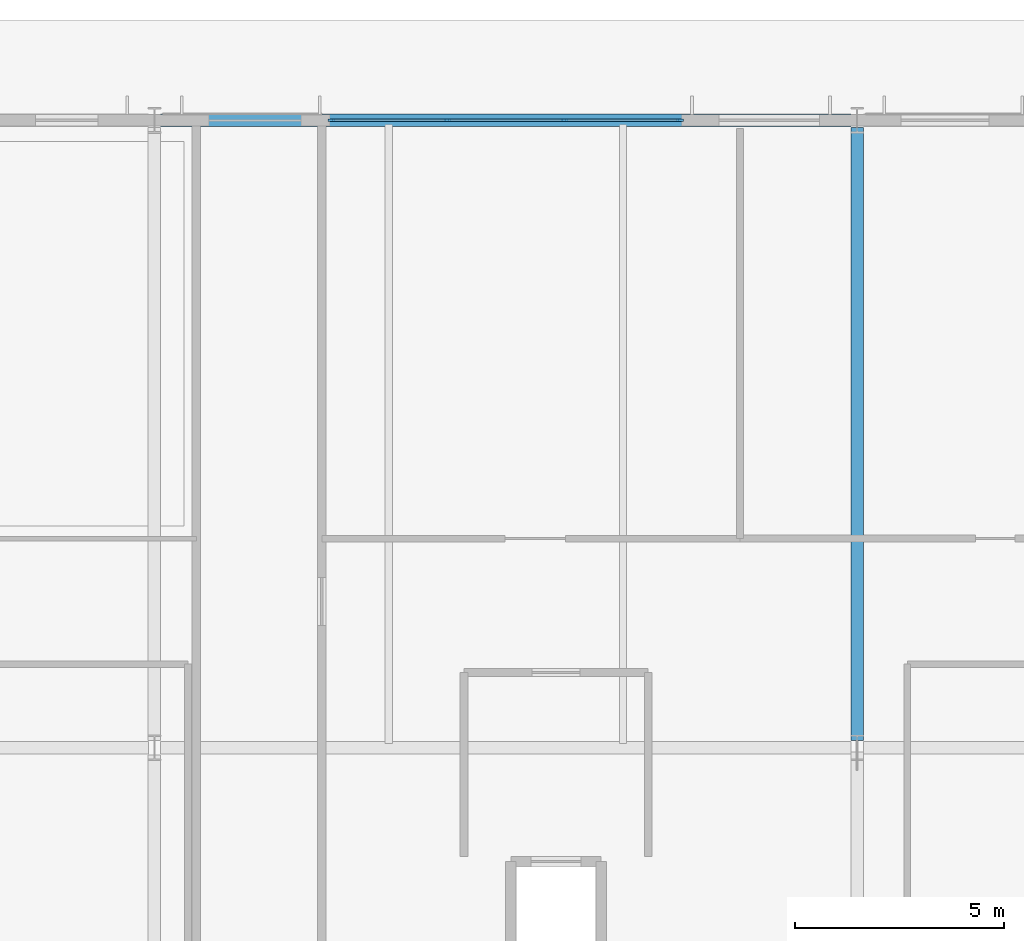
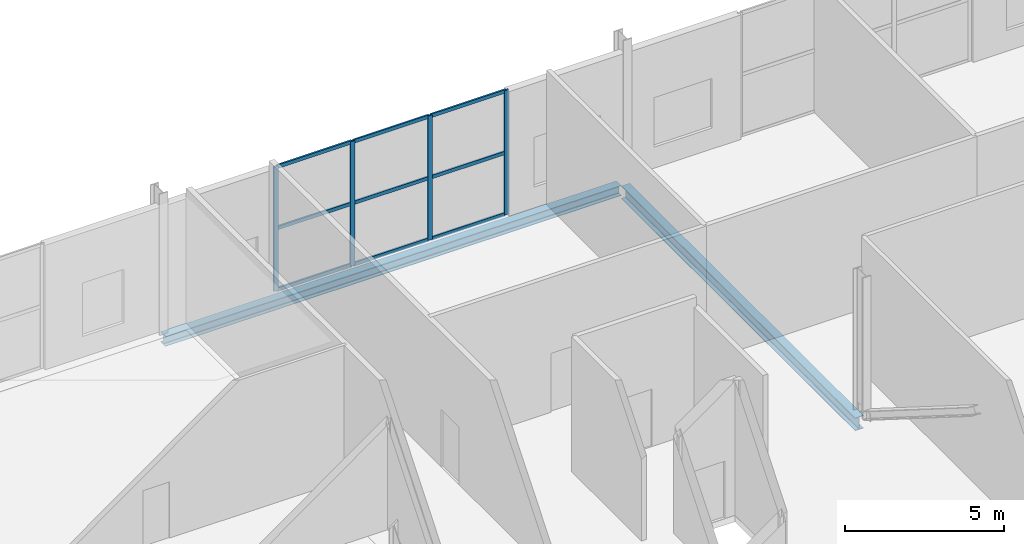
# One storey, part 38 of 87: 13 members, 2 beams, 1 element without a shape of its own.
"""IFC4 building model written with IfcOpenShell, lengths in metres."""

from ifc_helpers import new_model, si_unit, direction, frame, origin, origin_2d, place, context, subcontext, project, spatial, rectangle, i_section, extrude, material, material_profile, profile_set, type_object, element, aggregate, save


model = new_model("IFC4")

# Units and contexts
model_context = context("Model", 3, precision=1e-05, world=origin(), true_north=direction((0.0, 1.0)))
body_context = subcontext(model_context, "Body", "Model", "MODEL_VIEW")
ifc_project = project(units=[si_unit("LENGTHUNIT", "METRE"), si_unit("AREAUNIT", "SQUARE_METRE"), si_unit("VOLUMEUNIT", "CUBIC_METRE"), si_unit("PLANEANGLEUNIT", "RADIAN"), si_unit("MASSUNIT", "GRAM", prefix="KILO")], contexts=[model_context])

# Site, building, storey
site_placement = place(None, origin())
site = spatial("IfcSite", under=ifc_project, at=site_placement, CompositionType="ELEMENT")
building_placement = place(site_placement, origin())
building = spatial("IfcBuilding", under=site, at=building_placement, Name="Kimbaza Rail Terminus", CompositionType="ELEMENT")
storey_placement = place(building_placement, origin())
storey = spatial("IfcBuildingStorey", under=building, at=storey_placement, Name="L00", CompositionType="ELEMENT", Elevation=0.0)

# Curtain wall, members
ifc_material_1 = material(Name="Anodised aluminium framing and solar low-E glazing", Category="aluminium")
curtain_wall_type = type_object("IfcCurtainWallType", Name="ARC-CW-OP1", PredefinedType="USERDEFINED", material=ifc_material_1)
curtain_wall_placement = place(storey_placement, origin())
curtain_wall = element("IfcCurtainWall", 1, at=curtain_wall_placement, inside=storey, type_object=curtain_wall_type, Name="Operations North Curtain Wall L00 Bay 5", ObjectType="UNITISED CURTAIN WALL", PredefinedType="USERDEFINED")
ifc_material_2 = material(Name="Anodised architectural aluminium", Category="aluminium")
ifc_material_profile_1 = material_profile(ifc_material_2, rectangle(XDim=0.06201171875, YDim=0.1650390625, at=origin_2d()), Name="MULLION 62x165")
ifc_profile_set_1 = profile_set([ifc_material_profile_1], Name="Anodised architectural aluminium")
member_type_1 = type_object("IfcMemberType", Name="ARC-CWM-05", PredefinedType="MULLION", material=ifc_profile_set_1)
member_1_placement = place(storey_placement, frame((126.631103515625, 133.0, 0.0), z_axis=(0.0, 0.0, 1.0), x_axis=(0.0, 1.0, 0.0)))
member_1 = element("IfcMember", 2, at=member_1_placement, type_object=member_type_1, Name="CW-05 mullion 1", PredefinedType="MULLION", context=body_context, shape_type="SweptSolid", body=[
    extrude(rectangle(XDim=0.06201171875, YDim=0.1650390625, at=origin_2d()), origin(), (0.0, 0.0, 1.0), 4.764892578125),
])
member_2_placement = place(storey_placement, frame((129.39990234375, 133.0, 0.0), z_axis=(0.0, 0.0, 1.0), x_axis=(0.0, 1.0, 0.0)))
member_2 = element("IfcMember", 3, at=member_2_placement, type_object=member_type_1, Name="CW-05 mullion 2", PredefinedType="MULLION", context=body_context, shape_type="SweptSolid", body=[
    extrude(rectangle(XDim=0.06201171875, YDim=0.1650390625, at=origin_2d()), origin(), (0.0, 0.0, 1.0), 4.764892578125),
])
member_3_placement = place(storey_placement, frame((132.199951171875, 133.0, 0.0), z_axis=(0.0, 0.0, 1.0), x_axis=(0.0, 1.0, 0.0)))
member_3 = element("IfcMember", 4, at=member_3_placement, type_object=member_type_1, Name="CW-05 mullion 3", PredefinedType="MULLION", context=body_context, shape_type="SweptSolid", body=[
    extrude(rectangle(XDim=0.06201171875, YDim=0.1650390625, at=origin_2d()), origin(), (0.0, 0.0, 1.0), 4.764892578125),
])
member_4_placement = place(storey_placement, frame((134.968994140625, 133.0, 0.0), z_axis=(0.0, 0.0, 1.0), x_axis=(0.0, 1.0, 0.0)))
member_4 = element("IfcMember", 5, at=member_4_placement, type_object=member_type_1, Name="CW-05 mullion 4", PredefinedType="MULLION", context=body_context, shape_type="SweptSolid", body=[
    extrude(rectangle(XDim=0.06201171875, YDim=0.1650390625, at=origin_2d()), origin(), (0.0, 0.0, 1.0), 4.764892578125),
])
ifc_material_3 = material(Name="Anodised architectural aluminium", Category="aluminium")
ifc_material_profile_2 = material_profile(ifc_material_3, rectangle(XDim=0.06201171875, YDim=0.135009765625, at=origin_2d()), Name="TRANSOM 62x135")
ifc_profile_set_2 = profile_set([ifc_material_profile_2], Name="Anodised architectural aluminium")
member_type_2 = type_object("IfcMemberType", Name="ARC-CWT-05", PredefinedType="USERDEFINED", material=ifc_profile_set_2)
member_5_placement = place(storey_placement, frame((126.662109375, 133.0, 0.031005859375), z_axis=(1.0, 0.0, 0.0), x_axis=(0.0, 1.0, 0.0)))
member_5 = element("IfcMember", 6, at=member_5_placement, type_object=member_type_2, Name="CW-05 transom 1.1", ObjectType="TRANSOM", PredefinedType="USERDEFINED", context=body_context, shape_type="SweptSolid", body=[
    extrude(rectangle(XDim=0.06201171875, YDim=0.135009765625, at=origin_2d()), origin(), (0.0, 0.0, 1.0), 2.706787109375),
])
member_6_placement = place(storey_placement, frame((126.662109375, 133.0, 2.382568359375), z_axis=(1.0, 0.0, 0.0), x_axis=(0.0, 1.0, 0.0)))
member_6 = element("IfcMember", 7, at=member_6_placement, type_object=member_type_2, Name="CW-05 transom 1.2", ObjectType="TRANSOM", PredefinedType="USERDEFINED", context=body_context, shape_type="SweptSolid", body=[
    extrude(rectangle(XDim=0.06201171875, YDim=0.135009765625, at=origin_2d()), origin(), (0.0, 0.0, 1.0), 2.706787109375),
])
member_7_placement = place(storey_placement, frame((126.662109375, 133.0, 4.73388671875), z_axis=(1.0, 0.0, 0.0), x_axis=(0.0, 1.0, 0.0)))
member_7 = element("IfcMember", 8, at=member_7_placement, type_object=member_type_2, Name="CW-05 transom 1.3", ObjectType="TRANSOM", PredefinedType="USERDEFINED", context=body_context, shape_type="SweptSolid", body=[
    extrude(rectangle(XDim=0.06201171875, YDim=0.135009765625, at=origin_2d()), origin(), (0.0, 0.0, 1.0), 2.706787109375),
])
member_8_placement = place(storey_placement, frame((129.430908203125, 133.0, 0.031005859375), z_axis=(1.0, 0.0, 0.0), x_axis=(0.0, 1.0, 0.0)))
member_8 = element("IfcMember", 9, at=member_8_placement, type_object=member_type_2, Name="CW-05 transom 2.1", ObjectType="TRANSOM", PredefinedType="USERDEFINED", context=body_context, shape_type="SweptSolid", body=[
    extrude(rectangle(XDim=0.06201171875, YDim=0.135009765625, at=origin_2d()), origin(), (0.0, 0.0, 1.0), 2.738037109375),
])
member_9_placement = place(storey_placement, frame((129.430908203125, 133.0, 2.382568359375), z_axis=(1.0, 0.0, 0.0), x_axis=(0.0, 1.0, 0.0)))
member_9 = element("IfcMember", 10, at=member_9_placement, type_object=member_type_2, Name="CW-05 transom 2.2", ObjectType="TRANSOM", PredefinedType="USERDEFINED", context=body_context, shape_type="SweptSolid", body=[
    extrude(rectangle(XDim=0.06201171875, YDim=0.135009765625, at=origin_2d()), origin(), (0.0, 0.0, 1.0), 2.738037109375),
])
member_10_placement = place(storey_placement, frame((129.430908203125, 133.0, 4.73388671875), z_axis=(1.0, 0.0, 0.0), x_axis=(0.0, 1.0, 0.0)))
member_10 = element("IfcMember", 11, at=member_10_placement, type_object=member_type_2, Name="CW-05 transom 2.3", ObjectType="TRANSOM", PredefinedType="USERDEFINED", context=body_context, shape_type="SweptSolid", body=[
    extrude(rectangle(XDim=0.06201171875, YDim=0.135009765625, at=origin_2d()), origin(), (0.0, 0.0, 1.0), 2.738037109375),
])
member_11_placement = place(storey_placement, frame((132.23095703125, 133.0, 0.031005859375), z_axis=(1.0, 0.0, 0.0), x_axis=(0.0, 1.0, 0.0)))
member_11 = element("IfcMember", 12, at=member_11_placement, type_object=member_type_2, Name="CW-05 transom 3.1", ObjectType="TRANSOM", PredefinedType="USERDEFINED", context=body_context, shape_type="SweptSolid", body=[
    extrude(rectangle(XDim=0.06201171875, YDim=0.135009765625, at=origin_2d()), origin(), (0.0, 0.0, 1.0), 2.70703125),
])
member_12_placement = place(storey_placement, frame((132.23095703125, 133.0, 2.382568359375), z_axis=(1.0, 0.0, 0.0), x_axis=(0.0, 1.0, 0.0)))
member_12 = element("IfcMember", 13, at=member_12_placement, type_object=member_type_2, Name="CW-05 transom 3.2", ObjectType="TRANSOM", PredefinedType="USERDEFINED", context=body_context, shape_type="SweptSolid", body=[
    extrude(rectangle(XDim=0.06201171875, YDim=0.135009765625, at=origin_2d()), origin(), (0.0, 0.0, 1.0), 2.70703125),
])
member_13_placement = place(storey_placement, frame((132.23095703125, 133.0, 4.73388671875), z_axis=(1.0, 0.0, 0.0), x_axis=(0.0, 1.0, 0.0)))
member_13 = element("IfcMember", 14, at=member_13_placement, type_object=member_type_2, Name="CW-05 transom 3.3", ObjectType="TRANSOM", PredefinedType="USERDEFINED", context=body_context, shape_type="SweptSolid", body=[
    extrude(rectangle(XDim=0.06201171875, YDim=0.135009765625, at=origin_2d()), origin(), (0.0, 0.0, 1.0), 2.70703125),
])
aggregate(curtain_wall, [member_1, member_2, member_3, member_4, member_5, member_6, member_7, member_8, member_9, member_10, member_11, member_12, member_13])

# Beams
ifc_material_4 = material(Name="Steel S355", Category="steel")
ifc_material_profile_3 = material_profile(ifc_material_4, i_section(OverallWidth=0.300048828125, OverallDepth=0.389892578125, WebThickness=0.010986328125, FlangeThickness=0.01904296875, FilletRadius=0.027099609375, at=origin_2d()), Name="HEA 400")
ifc_profile_set_3 = profile_set([ifc_material_profile_3], Name="Steel S355")
beam_type_1 = type_object("IfcBeamType", Name="STR-BM-HEA400", PredefinedType="SPANDREL", material=ifc_profile_set_3)
beam_1_placement = place(storey_placement, frame((122.5458984375, 133.0, -0.43505859375), z_axis=(1.0, 0.0, 0.0), x_axis=(0.0, 1.0, 0.0)))
element("IfcBeam", 15, at=beam_1_placement, inside=storey, type_object=beam_type_1, Name="Operations Girder L00 X4-Y2", PredefinedType="SPANDREL", context=body_context, shape_type="SweptSolid", body=[
    extrude(i_section(OverallWidth=0.300048828125, OverallDepth=0.389892578125, WebThickness=0.010986328125, FlangeThickness=0.01904296875, FilletRadius=0.027099609375, at=origin_2d()), origin(), (0.0, 0.0, 1.0), 16.508056640625),
])
ifc_material_5 = material(Name="Steel S355", Category="steel")
ifc_material_profile_4 = material_profile(ifc_material_5, i_section(OverallWidth=0.300048828125, OverallDepth=0.5, WebThickness=0.014404296875, FlangeThickness=0.028076171875, FilletRadius=0.027099609375, at=origin_2d()), Name="HEB 500")
ifc_profile_set_4 = profile_set([ifc_material_profile_4], Name="Steel S355")
beam_type_2 = type_object("IfcBeamType", Name="STR-BM-HEB500", PredefinedType="BEAM", material=ifc_profile_set_4)
beam_2_placement = place(storey_placement, frame((139.199951171875, 118.175048828125, -0.489990234375), z_axis=(0.0, 1.0, 0.0), x_axis=(-1.0, 0.0, 0.0)))
element("IfcBeam", 16, at=beam_2_placement, inside=storey, type_object=beam_type_2, Name="Operations Cross Girder L00 X5-Y1", PredefinedType="BEAM", context=body_context, shape_type="SweptSolid", body=[
    extrude(i_section(OverallWidth=0.300048828125, OverallDepth=0.5, WebThickness=0.014404296875, FlangeThickness=0.028076171875, FilletRadius=0.027099609375, at=origin_2d()), origin(), (0.0, 0.0, 1.0), 14.64990234375),
])

save(model, "model.ifc")
